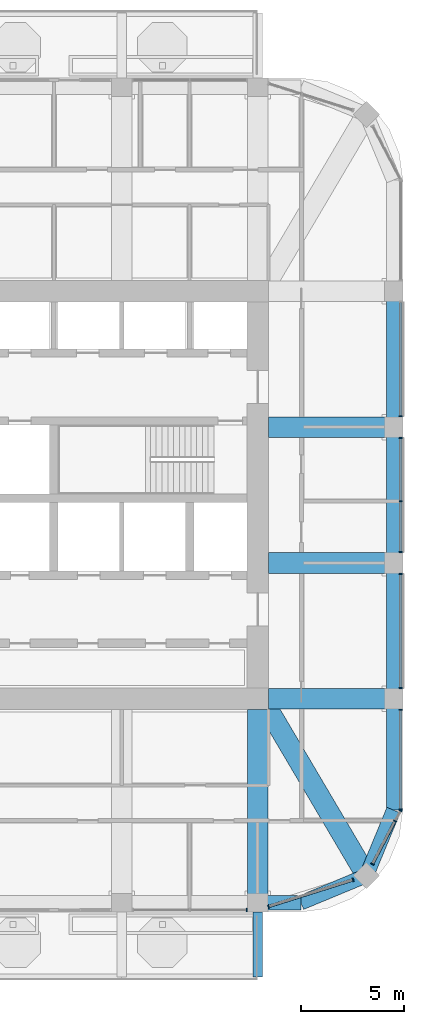
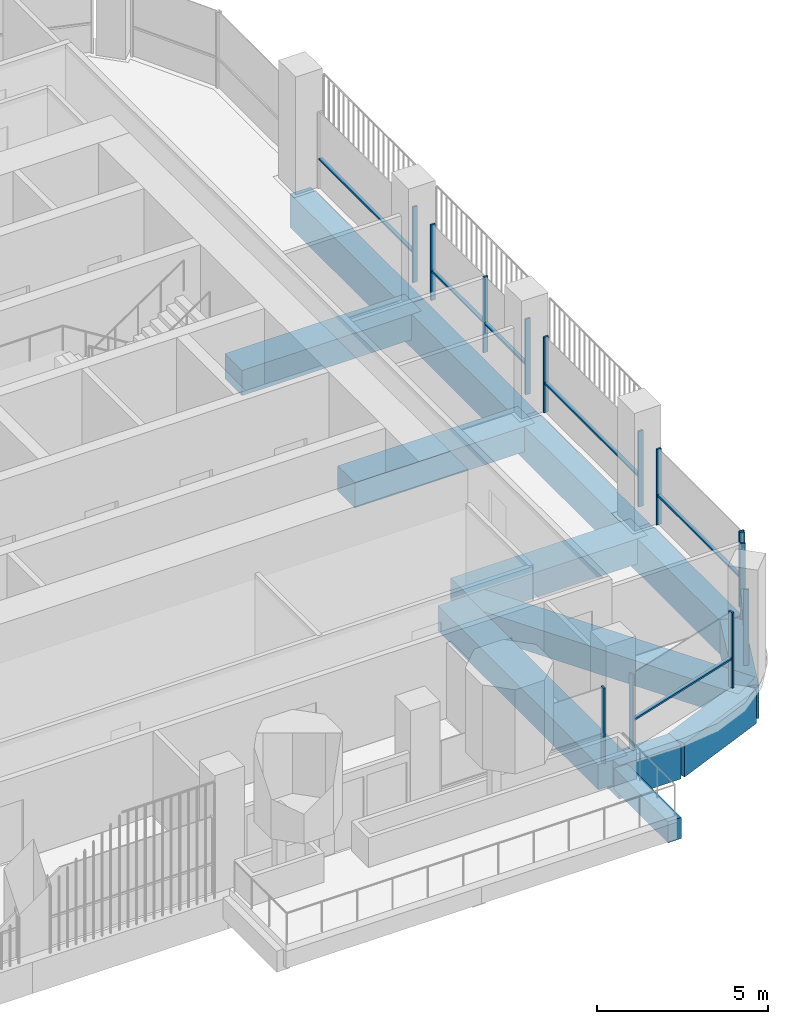
# One storey, part 5 of 21: 21 members, 13 beams, 7 elements without a shape of their own.
"""IFC4 building model written with IfcOpenShell, lengths in metres."""

from ifc_helpers import new_model, si_unit, direction, frame, origin, origin_2d, place, context, subcontext, project, spatial, rectangle, extrude, material, material_profile, profile_set, type_object, element, aggregate, save


model = new_model("IFC4")

# Units and contexts
model_context = context("Model", 3, precision=1e-05, world=origin(), true_north=direction((0.0, 1.0)))
body_context = subcontext(model_context, "Body", "Model", "MODEL_VIEW")
ifc_project = project(units=[si_unit("LENGTHUNIT", "METRE"), si_unit("AREAUNIT", "SQUARE_METRE"), si_unit("VOLUMEUNIT", "CUBIC_METRE"), si_unit("PLANEANGLEUNIT", "RADIAN"), si_unit("MASSUNIT", "GRAM", prefix="KILO")], contexts=[model_context])

# Site, building, storey
site_placement = place(None, origin())
site = spatial("IfcSite", under=ifc_project, at=site_placement, CompositionType="ELEMENT")
building_placement = place(site_placement, origin())
building = spatial("IfcBuilding", under=site, at=building_placement, Name="Cobogo Forest Laboratory Tower", CompositionType="ELEMENT")
storey_placement = place(building_placement, frame((0.0, 0.0, 283.800048828125)))
storey = spatial("IfcBuildingStorey", under=building, at=storey_placement, Name="L65", CompositionType="ELEMENT", Elevation=283.800048828125)

# Beam
ifc_material_1 = material(Name="Concrete HA-40 (C40/50)", Category="concrete")
ifc_material_profile_1 = material_profile(ifc_material_1, rectangle(XDim=0.449951171875, YDim=0.75, at=origin_2d()), Name="RC 450x750")
ifc_profile_set_1 = profile_set([ifc_material_profile_1], Name="Concrete HA-40 (C40/50)")
beam_type_1 = type_object("IfcBeamType", Name="Balcony cantilever beam 450x750", PredefinedType="BEAM", material=ifc_profile_set_1)
beam_1_placement = place(storey_placement, frame((39.60009765625, 2.85009765625, -0.625), z_axis=(0.0, -1.0, 0.0), x_axis=(1.0, 0.0, 0.0)))
element("IfcBeam", 1, at=beam_1_placement, inside=storey, type_object=beam_type_1, Name="CB1 BAL-S1-C3 L65", PredefinedType="BEAM", context=body_context, shape_type="SweptSolid", body=[
    extrude(rectangle(XDim=0.449951171875, YDim=0.75, at=origin_2d()), origin(), (0.0, 0.0, 1.0), 3.150146484375),
])

# Curtain wall, member
ifc_material_2 = material(Name="Aluminium curtain wall", Category="aluminium")
curtain_wall_type = type_object("IfcCurtainWallType", Name="CW-2 unitised curtain wall, solar control glazing, laboratory floors zones C and D", PredefinedType="USERDEFINED", material=ifc_material_2)
curtain_wall_1_placement = place(storey_placement, origin())
curtain_wall_1 = element("IfcCurtainWall", 2, at=curtain_wall_1_placement, inside=storey, type_object=curtain_wall_type, Name="Curtain wall 04 L65", ObjectType="UNITISED CURTAIN WALL", PredefinedType="USERDEFINED")
ifc_material_3 = material(Name="Aluminium mullion", Category="aluminium")
ifc_material_profile_2 = material_profile(ifc_material_3, rectangle(XDim=0.06005859375, YDim=0.159912109375, at=origin_2d()), Name="AL 60x160")
ifc_profile_set_2 = profile_set([ifc_material_profile_2], Name="Aluminium mullion")
member_type_1 = type_object("IfcMemberType", Name="MU-1 aluminium mullion 60x160", PredefinedType="MULLION", material=ifc_profile_set_2)
member_1_placement = place(storey_placement, frame((39.070068359375, 2.949951171875, 0.0), z_axis=(0.0, 0.0, 1.0), x_axis=(1.0, 0.0, 0.0)))
member_1 = element("IfcMember", 3, at=member_1_placement, type_object=member_type_1, Name="CW-2 mullion 3", PredefinedType="MULLION", context=body_context, shape_type="SweptSolid", body=[
    extrude(rectangle(XDim=0.06005859375, YDim=0.159912109375, at=origin_2d()), origin(), (0.0, 0.0, 1.0), 2.699951171875),
])
aggregate(curtain_wall_1, [member_1])

# Curtain wall, members
curtain_wall_2_placement = place(storey_placement, origin())
curtain_wall_2 = element("IfcCurtainWall", 4, at=curtain_wall_2_placement, inside=storey, type_object=curtain_wall_type, Name="Curtain wall 05 L65", ObjectType="UNITISED CURTAIN WALL", PredefinedType="USERDEFINED")
member_2_placement = place(storey_placement, frame((40.128662109375, 3.116943359375, 0.0), z_axis=(0.0, 0.0, 1.0), x_axis=(0.953581379409, 0.301135439371, 0.0)))
member_2 = element("IfcMember", 5, at=member_2_placement, type_object=member_type_1, Name="CW-2 mullion 1", PredefinedType="MULLION", context=body_context, shape_type="SweptSolid", body=[
    extrude(rectangle(XDim=0.06005859375, YDim=0.159912109375, at=origin_2d()), origin(), (0.0, 0.0, 1.0), 2.699951171875),
])
member_3_placement = place(storey_placement, frame((44.22998046875, 4.412109375, 0.0), z_axis=(0.0, 0.0, 1.0), x_axis=(0.953581379409, 0.301135439371, 0.0)))
member_3 = element("IfcMember", 6, at=member_3_placement, type_object=member_type_1, Name="CW-2 mullion 2", PredefinedType="MULLION", context=body_context, shape_type="SweptSolid", body=[
    extrude(rectangle(XDim=0.06005859375, YDim=0.159912109375, at=origin_2d()), origin(), (0.0, 0.0, 1.0), 2.699951171875),
])

curtain_wall_3_placement = place(storey_placement, origin())
curtain_wall_3 = element("IfcCurtainWall", 7, at=curtain_wall_3_placement, inside=storey, type_object=curtain_wall_type, Name="Curtain wall 06 L65", ObjectType="UNITISED CURTAIN WALL", PredefinedType="USERDEFINED")
member_4_placement = place(storey_placement, frame((45.177978515625, 5.1826171875, 0.0), z_axis=(0.0, 0.0, 1.0), x_axis=(0.464283778337, 0.885686498245, 0.0)))
member_4 = element("IfcMember", 8, at=member_4_placement, type_object=member_type_1, Name="CW-2 mullion 1", PredefinedType="MULLION", context=body_context, shape_type="SweptSolid", body=[
    extrude(rectangle(XDim=0.06005859375, YDim=0.159912109375, at=origin_2d()), origin(), (0.0, 0.0, 1.0), 2.699951171875),
])
member_5_placement = place(storey_placement, frame((46.268310546875, 7.262939453125, 0.0), z_axis=(0.0, 0.0, 1.0), x_axis=(0.464283778337, 0.885686498245, 0.0)))
member_5 = element("IfcMember", 9, at=member_5_placement, type_object=member_type_1, Name="CW-2 mullion 2", PredefinedType="MULLION", context=body_context, shape_type="SweptSolid", body=[
    extrude(rectangle(XDim=0.06005859375, YDim=0.159912109375, at=origin_2d()), origin(), (0.0, 0.0, 1.0), 2.699951171875),
])
member_6_placement = place(storey_placement, frame((46.5361328125, 7.7734375, 0.0), z_axis=(0.0, 0.0, 1.0), x_axis=(0.464283778337, 0.885686498245, 0.0)))
member_6 = element("IfcMember", 10, at=member_6_placement, type_object=member_type_1, Name="CW-2 mullion 3", PredefinedType="MULLION", context=body_context, shape_type="SweptSolid", body=[
    extrude(rectangle(XDim=0.06005859375, YDim=0.159912109375, at=origin_2d()), origin(), (0.0, 0.0, 1.0), 2.699951171875),
])

curtain_wall_4_placement = place(storey_placement, origin())
curtain_wall_4 = element("IfcCurtainWall", 11, at=curtain_wall_4_placement, inside=storey, type_object=curtain_wall_type, Name="Curtain wall 07 L65", ObjectType="UNITISED CURTAIN WALL", PredefinedType="USERDEFINED")
member_7_placement = place(storey_placement, frame((46.550048828125, 7.830078125, 0.0), z_axis=(0.0, 0.0, 1.0), x_axis=(0.0, 1.0, 0.0)))
member_7 = element("IfcMember", 12, at=member_7_placement, type_object=member_type_1, Name="CW-2 mullion 1", PredefinedType="MULLION", context=body_context, shape_type="SweptSolid", body=[
    extrude(rectangle(XDim=0.06005859375, YDim=0.159912109375, at=origin_2d()), origin(), (0.0, 0.0, 1.0), 2.699951171875),
])
member_8_placement = place(storey_placement, frame((46.550048828125, 12.669921875, 0.0), z_axis=(0.0, 0.0, 1.0), x_axis=(0.0, 1.0, 0.0)))
member_8 = element("IfcMember", 13, at=member_8_placement, type_object=member_type_1, Name="CW-2 mullion 2", PredefinedType="MULLION", context=body_context, shape_type="SweptSolid", body=[
    extrude(rectangle(XDim=0.06005859375, YDim=0.159912109375, at=origin_2d()), origin(), (0.0, 0.0, 1.0), 2.699951171875),
])

curtain_wall_5_placement = place(storey_placement, origin())
curtain_wall_5 = element("IfcCurtainWall", 14, at=curtain_wall_5_placement, inside=storey, type_object=curtain_wall_type, Name="Curtain wall 08 L65", ObjectType="UNITISED CURTAIN WALL", PredefinedType="USERDEFINED")
member_9_placement = place(storey_placement, frame((46.550048828125, 13.72998046875, 0.0), z_axis=(0.0, 0.0, 1.0), x_axis=(0.0, 1.0, 0.0)))
member_9 = element("IfcMember", 15, at=member_9_placement, type_object=member_type_1, Name="CW-2 mullion 1", PredefinedType="MULLION", context=body_context, shape_type="SweptSolid", body=[
    extrude(rectangle(XDim=0.06005859375, YDim=0.159912109375, at=origin_2d()), origin(), (0.0, 0.0, 1.0), 2.699951171875),
])
member_10_placement = place(storey_placement, frame((46.550048828125, 19.27001953125, 0.0), z_axis=(0.0, 0.0, 1.0), x_axis=(0.0, 1.0, 0.0)))
member_10 = element("IfcMember", 16, at=member_10_placement, type_object=member_type_1, Name="CW-2 mullion 2", PredefinedType="MULLION", context=body_context, shape_type="SweptSolid", body=[
    extrude(rectangle(XDim=0.06005859375, YDim=0.159912109375, at=origin_2d()), origin(), (0.0, 0.0, 1.0), 2.699951171875),
])

curtain_wall_6_placement = place(storey_placement, origin())
curtain_wall_6 = element("IfcCurtainWall", 17, at=curtain_wall_6_placement, inside=storey, type_object=curtain_wall_type, Name="Curtain wall 09 L65", ObjectType="UNITISED CURTAIN WALL", PredefinedType="USERDEFINED")
member_11_placement = place(storey_placement, frame((46.550048828125, 20.330078125, 0.0), z_axis=(0.0, 0.0, 1.0), x_axis=(0.0, 1.0, 0.0)))
member_11 = element("IfcMember", 18, at=member_11_placement, type_object=member_type_1, Name="CW-2 mullion 1", PredefinedType="MULLION", context=body_context, shape_type="SweptSolid", body=[
    extrude(rectangle(XDim=0.06005859375, YDim=0.159912109375, at=origin_2d()), origin(), (0.0, 0.0, 1.0), 2.699951171875),
])
member_12_placement = place(storey_placement, frame((46.550048828125, 22.800048828125, 0.0), z_axis=(0.0, 0.0, 1.0), x_axis=(0.0, 1.0, 0.0)))
member_12 = element("IfcMember", 19, at=member_12_placement, type_object=member_type_1, Name="CW-2 mullion 2", PredefinedType="MULLION", context=body_context, shape_type="SweptSolid", body=[
    extrude(rectangle(XDim=0.06005859375, YDim=0.159912109375, at=origin_2d()), origin(), (0.0, 0.0, 1.0), 2.699951171875),
])
member_13_placement = place(storey_placement, frame((46.550048828125, 25.8701171875, 0.0), z_axis=(0.0, 0.0, 1.0), x_axis=(0.0, 1.0, 0.0)))
member_13 = element("IfcMember", 20, at=member_13_placement, type_object=member_type_1, Name="CW-2 mullion 3", PredefinedType="MULLION", context=body_context, shape_type="SweptSolid", body=[
    extrude(rectangle(XDim=0.06005859375, YDim=0.159912109375, at=origin_2d()), origin(), (0.0, 0.0, 1.0), 2.699951171875),
])

# Curtain wall, member
curtain_wall_7_placement = place(storey_placement, origin())
curtain_wall_7 = element("IfcCurtainWall", 21, at=curtain_wall_7_placement, inside=storey, type_object=curtain_wall_type, Name="Curtain wall 10 L65", ObjectType="UNITISED CURTAIN WALL", PredefinedType="USERDEFINED")
member_14_placement = place(storey_placement, frame((46.550048828125, 26.929931640625, 0.0), z_axis=(0.0, 0.0, 1.0), x_axis=(0.0, 1.0, 0.0)))
member_14 = element("IfcMember", 22, at=member_14_placement, type_object=member_type_1, Name="CW-2 mullion 1", PredefinedType="MULLION", context=body_context, shape_type="SweptSolid", body=[
    extrude(rectangle(XDim=0.06005859375, YDim=0.159912109375, at=origin_2d()), origin(), (0.0, 0.0, 1.0), 2.699951171875),
])

# Beams
ifc_material_profile_3 = material_profile(ifc_material_1, rectangle(XDim=1.0, YDim=0.89990234375, at=origin_2d()), Name="RC 1000x900")
ifc_profile_set_3 = profile_set([ifc_material_profile_3], Name="Concrete HA-40 (C40/50)")
beam_type_2 = type_object("IfcBeamType", Name="Office floor wide beam 1000x900", PredefinedType="BEAM", material=ifc_profile_set_3)
beam_2_placement = place(storey_placement, frame((39.60009765625, 12.675048828125, -0.75), z_axis=(0.0, -1.0, 0.0), x_axis=(1.0, 0.0, 0.0)))
element("IfcBeam", 23, at=beam_2_placement, inside=storey, type_object=beam_type_2, Name="RB2 R-7-S L65", PredefinedType="BEAM", context=body_context, shape_type="SweptSolid", body=[
    extrude(rectangle(XDim=1.0, YDim=0.89990234375, at=origin_2d()), origin(), (0.0, 0.0, 1.0), 9.375),
])
for number, where, z_axis, x_axis, name in (
    (24, (40.125, 13.199951171875, -0.75), (1.0, 0.0, 0.0), (0.0, 1.0, 0.0), "RB2 R-C-E L65"),
    (25, (40.125, 19.800048828125, -0.75), (1.0, 0.0, 0.0), (0.0, 1.0, 0.0), "RB2 R-D-E L65"),
    (26, (40.125, 26.39990234375, -0.75), (1.0, 0.0, 0.0), (0.0, 1.0, 0.0), "RB2 R-E-E L65"),
):
    element("IfcBeam", number, at=place(storey_placement, frame(where, z_axis=z_axis, x_axis=x_axis)), inside=storey, type_object=beam_type_2, Name=name, PredefinedType="BEAM", context=body_context, shape_type="SweptSolid", body=[
        extrude(rectangle(XDim=1.0, YDim=0.89990234375, at=origin_2d()), origin(), (0.0, 0.0, 1.0), 6.074951171875),
    ])
beam_3_placement = place(storey_placement, frame((44.882080078125, 4.617919921875, -0.75), z_axis=(-0.508416325908, 0.861111397875, 0.0), x_axis=(-0.861111397875, -0.508416325908, 0.0)))
element("IfcBeam", 27, at=beam_3_placement, inside=storey, type_object=beam_type_2, Name="RB2 G-SE-D1 L65", PredefinedType="BEAM", context=body_context, shape_type="SweptSolid", body=[
    extrude(rectangle(XDim=1.0, YDim=0.89990234375, at=origin_2d()), origin(), (0.0, 0.0, 1.0), 9.356689453125),
])
ifc_material_profile_4 = material_profile(ifc_material_1, rectangle(XDim=0.699951171875, YDim=1.199951171875, at=origin_2d()), Name="RC 700x1200")
ifc_profile_set_4 = profile_set([ifc_material_profile_4], Name="Concrete HA-40 (C40/50)")
beam_type_3 = type_object("IfcBeamType", Name="Perimeter edge beam 700x1200", PredefinedType="BEAM", material=ifc_profile_set_4)
beam_4_placement = place(storey_placement, frame((46.199951171875, 13.199951171875, -0.900146484375), z_axis=(0.0, 1.0, 0.0), x_axis=(-1.0, 0.0, 0.0)))
element("IfcBeam", 28, at=beam_4_placement, inside=storey, type_object=beam_type_3, Name="EB1 E-E1 L65", PredefinedType="BEAM", context=body_context, shape_type="SweptSolid", body=[
    extrude(rectangle(XDim=0.699951171875, YDim=1.199951171875, at=origin_2d()), origin(), (0.0, 0.0, 1.0), 6.60009765625),
])
beam_5_placement = place(storey_placement, frame((46.199951171875, 19.800048828125, -0.900146484375), z_axis=(0.0, 1.0, 0.0), x_axis=(-1.0, 0.0, 0.0)))
element("IfcBeam", 29, at=beam_5_placement, inside=storey, type_object=beam_type_3, Name="EB1 E-E2 L65", PredefinedType="BEAM", context=body_context, shape_type="SweptSolid", body=[
    extrude(rectangle(XDim=0.699951171875, YDim=1.199951171875, at=origin_2d()), origin(), (0.0, 0.0, 1.0), 6.599853515625),
])
beam_6_placement = place(storey_placement, frame((46.199951171875, 26.39990234375, -0.900146484375), z_axis=(0.0, 1.0, 0.0), x_axis=(-1.0, 0.0, 0.0)))
element("IfcBeam", 30, at=beam_6_placement, inside=storey, type_object=beam_type_3, Name="EB1 E-E3 L65", PredefinedType="BEAM", context=body_context, shape_type="SweptSolid", body=[
    extrude(rectangle(XDim=0.699951171875, YDim=1.199951171875, at=origin_2d()), origin(), (0.0, 0.0, 1.0), 6.60009765625),
])
beam_7_placement = place(storey_placement, frame((39.60009765625, 3.300048828125, -0.900146484375), z_axis=(1.0, 0.0, 0.0), x_axis=(0.0, 1.0, 0.0)))
element("IfcBeam", 31, at=beam_7_placement, inside=storey, type_object=beam_type_3, Name="EB1 E-SES1 L65", PredefinedType="BEAM", context=body_context, shape_type="SweptSolid", body=[
    extrude(rectangle(XDim=0.699951171875, YDim=1.199951171875, at=origin_2d()), origin(), (0.0, 0.0, 1.0), 2.099853515625),
])
beam_8_placement = place(storey_placement, frame((41.699951171875, 3.300048828125, -0.900146484375), z_axis=(0.923901072997, 0.382631424892, 0.0), x_axis=(-0.382631424892, 0.923901072997, 0.0)))
element("IfcBeam", 32, at=beam_8_placement, inside=storey, type_object=beam_type_3, Name="EB1 E-SES2 L65", PredefinedType="BEAM", context=body_context, shape_type="SweptSolid", body=[
    extrude(rectangle(XDim=0.699951171875, YDim=1.199951171875, at=origin_2d()), origin(), (0.0, 0.0, 1.0), 3.4443359375),
])
beam_9_placement = place(storey_placement, frame((46.199951171875, 13.199951171875, -0.900146484375), z_axis=(0.0, -1.0, 0.0), x_axis=(1.0, 0.0, 0.0)))
element("IfcBeam", 33, at=beam_9_placement, inside=storey, type_object=beam_type_3, Name="EB1 E-SEE1 L65", PredefinedType="BEAM", context=body_context, shape_type="SweptSolid", body=[
    extrude(rectangle(XDim=0.699951171875, YDim=1.199951171875, at=origin_2d()), origin(), (0.0, 0.0, 1.0), 5.39990234375),
])
beam_10_placement = place(storey_placement, frame((46.199951171875, 7.800048828125, -0.900146484375), z_axis=(-0.382631424892, -0.923901072997, 0.0), x_axis=(0.923901072997, -0.382631424892, 0.0)))
element("IfcBeam", 34, at=beam_10_placement, inside=storey, type_object=beam_type_3, Name="EB1 E-SEE2 L65", PredefinedType="BEAM", context=body_context, shape_type="SweptSolid", body=[
    extrude(rectangle(XDim=0.699951171875, YDim=1.199951171875, at=origin_2d()), origin(), (0.0, 0.0, 1.0), 3.4443359375),
])

# Member
ifc_material_4 = material(Name="Aluminium transom", Category="aluminium")
ifc_material_profile_5 = material_profile(ifc_material_4, rectangle(XDim=0.1201171875, YDim=0.06005859375, at=origin_2d()), Name="AL 60x120")
ifc_profile_set_5 = profile_set([ifc_material_profile_5], Name="Aluminium transom")
member_type_2 = type_object("IfcMemberType", Name="TR-1 aluminium transom 60x120", PredefinedType="USERDEFINED", material=ifc_profile_set_5)
member_15_placement = place(storey_placement, frame((40.1572265625, 3.1259765625, 1.050048828125), z_axis=(0.953583535148, 0.30112861288, 0.0), x_axis=(-0.30112861288, 0.953583535148, 0.0)))
member_15 = element("IfcMember", 35, at=member_15_placement, type_object=member_type_2, Name="CW-2 transom 1.1", ObjectType="TRANSOM", PredefinedType="USERDEFINED", context=body_context, shape_type="SweptSolid", body=[
    extrude(rectangle(XDim=0.1201171875, YDim=0.06005859375, at=origin_2d()), origin(), (0.0, 0.0, 1.0), 4.240966796875),
])

aggregate(curtain_wall_2, [member_2, member_3, member_15])

member_16_placement = place(storey_placement, frame((45.19189453125, 5.209228515625, 1.050048828125), z_axis=(0.46424215306, 0.885708317293, 0.0), x_axis=(-0.885708317293, 0.46424215306, 0.0)))
member_16 = element("IfcMember", 36, at=member_16_placement, type_object=member_type_2, Name="CW-2 transom 1.1", ObjectType="TRANSOM", PredefinedType="USERDEFINED", context=body_context, shape_type="SweptSolid", body=[
    extrude(rectangle(XDim=0.1201171875, YDim=0.06005859375, at=origin_2d()), origin(), (0.0, 0.0, 1.0), 2.28857421875),
])

aggregate(curtain_wall_3, [member_4, member_5, member_6, member_16])

member_17_placement = place(storey_placement, frame((46.550048828125, 7.860107421875, 1.050048828125), z_axis=(0.0, 1.0, 0.0), x_axis=(-1.0, 0.0, 0.0)))
member_17 = element("IfcMember", 37, at=member_17_placement, type_object=member_type_2, Name="CW-2 transom 1.1", ObjectType="TRANSOM", PredefinedType="USERDEFINED", context=body_context, shape_type="SweptSolid", body=[
    extrude(rectangle(XDim=0.1201171875, YDim=0.06005859375, at=origin_2d()), origin(), (0.0, 0.0, 1.0), 4.77978515625),
])

aggregate(curtain_wall_4, [member_7, member_8, member_17])

member_18_placement = place(storey_placement, frame((46.550048828125, 13.760009765625, 1.050048828125), z_axis=(0.0, 1.0, 0.0), x_axis=(-1.0, 0.0, 0.0)))
member_18 = element("IfcMember", 38, at=member_18_placement, type_object=member_type_2, Name="CW-2 transom 1.1", ObjectType="TRANSOM", PredefinedType="USERDEFINED", context=body_context, shape_type="SweptSolid", body=[
    extrude(rectangle(XDim=0.1201171875, YDim=0.06005859375, at=origin_2d()), origin(), (0.0, 0.0, 1.0), 5.47998046875),
])

aggregate(curtain_wall_5, [member_9, member_10, member_18])

member_19_placement = place(storey_placement, frame((46.550048828125, 20.360107421875, 1.050048828125), z_axis=(0.0, 1.0, 0.0), x_axis=(-1.0, 0.0, 0.0)))
member_19 = element("IfcMember", 39, at=member_19_placement, type_object=member_type_2, Name="CW-2 transom 1.1", ObjectType="TRANSOM", PredefinedType="USERDEFINED", context=body_context, shape_type="SweptSolid", body=[
    extrude(rectangle(XDim=0.1201171875, YDim=0.06005859375, at=origin_2d()), origin(), (0.0, 0.0, 1.0), 2.409912109375),
])

member_20_placement = place(storey_placement, frame((46.550048828125, 22.830078125, 1.050048828125), z_axis=(0.0, 1.0, 0.0), x_axis=(-1.0, 0.0, 0.0)))
member_20 = element("IfcMember", 40, at=member_20_placement, type_object=member_type_2, Name="CW-2 transom 2.1", ObjectType="TRANSOM", PredefinedType="USERDEFINED", context=body_context, shape_type="SweptSolid", body=[
    extrude(rectangle(XDim=0.1201171875, YDim=0.06005859375, at=origin_2d()), origin(), (0.0, 0.0, 1.0), 3.010009765625),
])

aggregate(curtain_wall_6, [member_11, member_12, member_13, member_19, member_20])

member_21_placement = place(storey_placement, frame((46.550048828125, 26.9599609375, 1.050048828125), z_axis=(0.0, 1.0, 0.0), x_axis=(-1.0, 0.0, 0.0)))
member_21 = element("IfcMember", 41, at=member_21_placement, type_object=member_type_2, Name="CW-2 transom 1.1", ObjectType="TRANSOM", PredefinedType="USERDEFINED", context=body_context, shape_type="SweptSolid", body=[
    extrude(rectangle(XDim=0.1201171875, YDim=0.06005859375, at=origin_2d()), origin(), (0.0, 0.0, 1.0), 5.47998046875),
])

aggregate(curtain_wall_7, [member_14, member_21])

save(model, "model.ifc")
